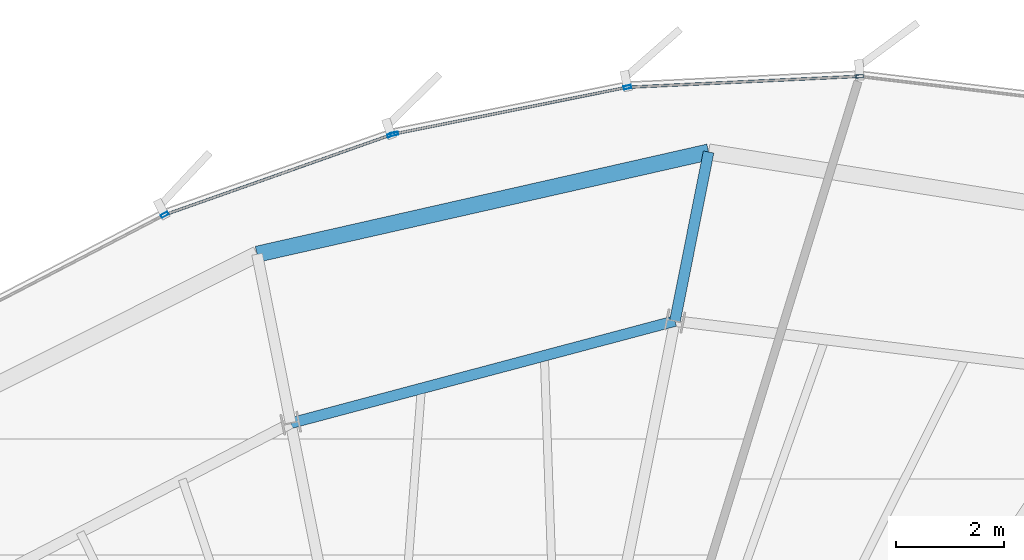
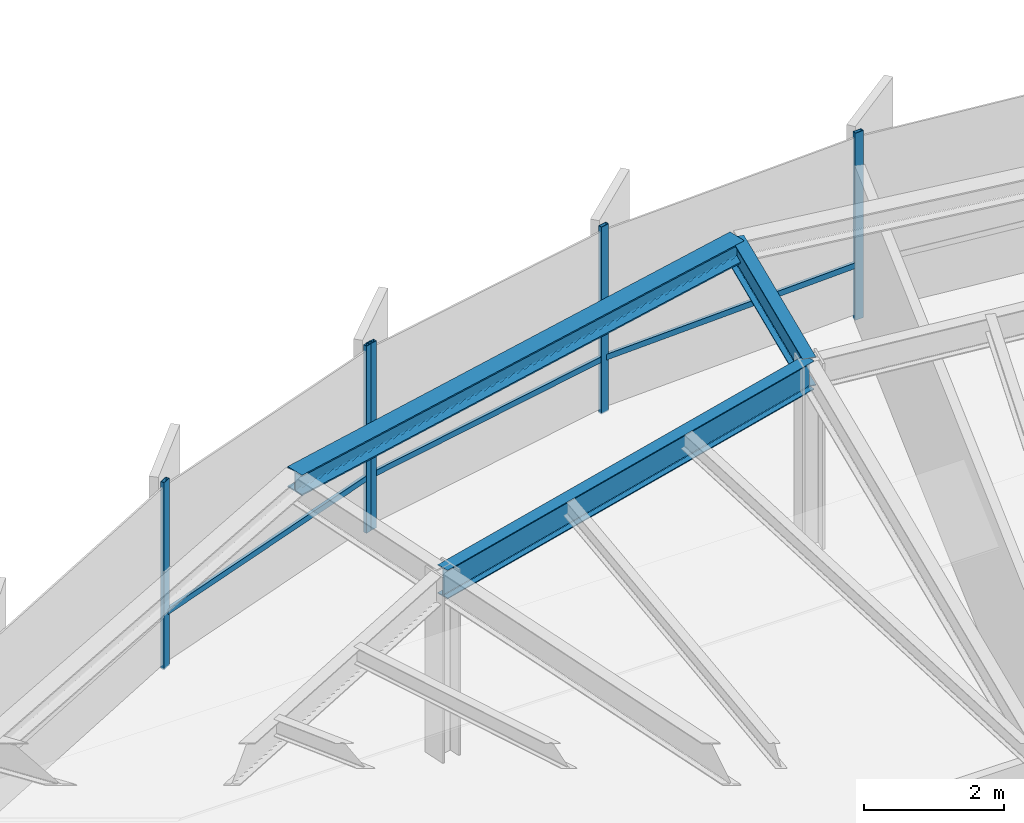
# One storey, part 23 of 35: 8 members, 3 beams, 2 elements without a shape of their own.
"""IFC4 building model written with IfcOpenShell, lengths in metres."""

from ifc_helpers import new_model, si_unit, direction, frame, origin, origin_2d, place, context, subcontext, project, spatial, hollow_rectangle, i_section, extrude, source, transform, mapped, material, layer, layer_set, material_profile, profile_set, type_object, element, aggregate, save


model = new_model("IFC4")

# Units and contexts
model_context = context("Model", 3, precision=1e-05, world=origin(), true_north=direction((0.0, 1.0)))
body_context = subcontext(model_context, "Body", "Model", "MODEL_VIEW")
ifc_project = project(units=[si_unit("LENGTHUNIT", "METRE"), si_unit("AREAUNIT", "SQUARE_METRE"), si_unit("VOLUMEUNIT", "CUBIC_METRE"), si_unit("PLANEANGLEUNIT", "RADIAN"), si_unit("MASSUNIT", "GRAM", prefix="KILO"), si_unit("THERMODYNAMICTEMPERATUREUNIT", "KELVIN")], contexts=[model_context])

# Site, building, storey
site_placement = place(None, origin())
site = spatial("IfcSite", under=ifc_project, at=site_placement, CompositionType="ELEMENT")
building_placement = place(site_placement, origin())
building = spatial("IfcBuilding", under=site, at=building_placement, Name="Kethvar Cultural Tower", CompositionType="ELEMENT")
storey_placement = place(building_placement, frame((0.0, 0.0, 193.89990234375)))
storey = spatial("IfcBuildingStorey", under=building, at=storey_placement, Name="L50", CompositionType="ELEMENT", Elevation=193.89990234375)

# Beams
ifc_material_1 = material(Name="Steel S355J2", Category="steel")
ifc_material_profile_1 = material_profile(ifc_material_1, i_section(OverallWidth=0.199951171875, OverallDepth=0.5, WebThickness=0.01025390625, FlangeThickness=0.01611328125, FilletRadius=0.02099609375, at=origin_2d()), Name="Steel S355J2 — IPE500")
ifc_profile_set_1 = profile_set([ifc_material_profile_1], Name="Steel S355J2 — IPE500")
beam_type_1 = type_object("IfcBeamType", Name="BM-IPE500", PredefinedType="BEAM", material=ifc_profile_set_1)
shared_shape_1 = source(origin(), body_context, "Body", "SweptSolid", [
    extrude(i_section(OverallWidth=0.199951171875, OverallDepth=0.5, WebThickness=0.01025390625, FlangeThickness=0.01611328125, FilletRadius=0.02099609375, at=origin_2d()), origin(), (0.0, 0.0, 1.0), 3.199951171875),
])
beam_1_placement = place(storey_placement, frame((50.556884765625, 46.6875, 3.008056640625), z_axis=(0.195088965533, 0.980785550224, 0.0), x_axis=(-0.980785550224, 0.195088965533, 0.0)))
element("IfcBeam", 1, at=beam_1_placement, inside=storey, type_object=beam_type_1, Name="L50 Perimeter Cantilever Beam RC-04", PredefinedType="BEAM", context=body_context, shape_type="MappedRepresentation", body=[
    mapped(shared_shape_1, transform((0.0, 0.0, 0.0), scale=1.0)),
])
shared_shape_2 = source(origin(), body_context, "Body", "SweptSolid", [
    extrude(i_section(OverallWidth=0.199951171875, OverallDepth=0.5, WebThickness=0.01025390625, FlangeThickness=0.01611328125, FilletRadius=0.02099609375, at=origin_2d()), origin(), (0.0, 0.0, 1.0), 7.38427734375),
])
beam_2_placement = place(storey_placement, frame((50.556884765625, 46.6875, 3.008056640625), z_axis=(-0.966396628298, -0.257055552002, 0.0), x_axis=(0.257055552002, -0.966396628298, 0.0)))
element("IfcBeam", 2, at=beam_2_placement, inside=storey, type_object=beam_type_1, Name="L50 Column Ring Tie Beam CR-04", PredefinedType="BEAM", context=body_context, shape_type="MappedRepresentation", body=[
    mapped(shared_shape_2, transform((0.0, 0.0, 0.0), scale=1.0)),
])
ifc_material_profile_2 = material_profile(ifc_material_1, i_section(OverallWidth=0.300048828125, OverallDepth=0.360107421875, WebThickness=0.012451171875, FlangeThickness=0.0224609375, FilletRadius=0.027099609375, at=origin_2d()), Name="Steel S355J2 — HEB360")
ifc_profile_set_2 = profile_set([ifc_material_profile_2], Name="Steel S355J2 — HEB360")
beam_type_2 = type_object("IfcBeamType", Name="BM-SP360", PredefinedType="SPANDREL", material=ifc_profile_set_2)
shared_shape_3 = source(origin(), body_context, "Body", "SweptSolid", [
    extrude(i_section(OverallWidth=0.300048828125, OverallDepth=0.360107421875, WebThickness=0.012451171875, FlangeThickness=0.0224609375, FilletRadius=0.027099609375, at=origin_2d()), origin(), (0.0, 0.0, 1.0), 8.596923828125),
])
beam_3_placement = place(storey_placement, frame((51.18115234375, 49.825927734375, 3.078125), z_axis=(-0.975319414912, -0.2207986388, 0.0), x_axis=(0.2207986388, -0.975319414912, 0.0)))
element("IfcBeam", 3, at=beam_3_placement, inside=storey, type_object=beam_type_2, Name="L50 Perimeter Spandrel Beam SP-04", PredefinedType="SPANDREL", context=body_context, shape_type="MappedRepresentation", body=[
    mapped(shared_shape_3, transform((0.0, 0.0, 0.0), scale=1.0)),
])

# Curtain wall, members
ifc_material_2 = material(Name="Aluminium 6063-T6", Category="aluminium")
ifc_layer = layer(ifc_material_2, 0.179931640625, Name="Aluminium 6063-T6", Category="aluminium")
ifc_layer_set = layer_set([ifc_layer], Name="Aluminium 6063-T6 (180 mm)")
curtain_wall_type = type_object("IfcCurtainWallType", Name="CW-SYS-04-Z34", PredefinedType="NOTDEFINED", material=ifc_layer_set)
curtain_wall_1_placement = place(storey_placement, origin())
curtain_wall_1 = element("IfcCurtainWall", 4, at=curtain_wall_1_placement, inside=storey, type_object=curtain_wall_type, Name="L50 Curtain Wall Run 01", PredefinedType="NOTDEFINED")
ifc_material_profile_3 = material_profile(ifc_material_2, hollow_rectangle(XDim=0.06005859375, YDim=0.139892578125, WallThickness=0.0048828125, at=origin_2d()), Name="Aluminium 6063-T6 — RHS140x60x5")
ifc_profile_set_3 = profile_set([ifc_material_profile_3], Name="Aluminium 6063-T6 — RHS140x60x5")
member_type_1 = type_object("IfcMemberType", Name="CW-SYS-04-Z34-MUL", PredefinedType="MULLION", material=ifc_profile_set_3)
shared_shape_4 = source(origin(), body_context, "Body", "SweptSolid", [
    extrude(hollow_rectangle(XDim=0.06005859375, YDim=0.139892578125, WallThickness=0.0048828125, at=origin_2d()), origin(), (0.0, 0.0, 1.0), 3.260009765625),
])
member_1_placement = place(storey_placement, frame((53.985107421875, 51.23095703125, 0.0), z_axis=(0.0, 0.0, 1.0), x_axis=(0.047158752397, -0.998887407105, 0.0)))
member_1 = element("IfcMember", 5, at=member_1_placement, type_object=member_type_1, Name="CW-L50-R01 Mullion 5", PredefinedType="MULLION", context=body_context, shape_type="MappedRepresentation", body=[
    mapped(shared_shape_4, transform((0.0, 0.0, 0.0), scale=1.0)),
])
member_2_placement = place(storey_placement, frame((49.674560546875, 51.02880859375, 0.0), z_axis=(0.0, 0.0, 1.0), x_axis=(0.196391112869, -0.980525640045, 0.0)))
member_2 = element("IfcMember", 6, at=member_2_placement, type_object=member_type_1, Name="CW-L50-R01 Mullion 6", PredefinedType="MULLION", context=body_context, shape_type="MappedRepresentation", body=[
    mapped(shared_shape_4, transform((0.0, 0.0, 0.0), scale=1.0)),
])
member_3_placement = place(storey_placement, frame((45.34619140625, 50.161865234375, 0.0), z_axis=(0.0, 0.0, 1.0), x_axis=(0.196391112869, -0.980525640045, 0.0)))
member_3 = element("IfcMember", 7, at=member_3_placement, type_object=member_type_1, Name="CW-L50-R01 Mullion 7", PredefinedType="MULLION", context=body_context, shape_type="MappedRepresentation", body=[
    mapped(shared_shape_4, transform((0.0, 0.0, 0.0), scale=1.0)),
])

curtain_wall_2_placement = place(storey_placement, origin())
curtain_wall_2 = element("IfcCurtainWall", 8, at=curtain_wall_2_placement, inside=storey, type_object=curtain_wall_type, Name="L50 Curtain Wall Run 02", PredefinedType="NOTDEFINED")
member_4_placement = place(storey_placement, frame((45.2861328125, 50.145263671875, 0.0), z_axis=(0.0, 0.0, 1.0), x_axis=(0.333247425772, -0.942839410089, 0.0)))
member_4 = element("IfcMember", 9, at=member_4_placement, type_object=member_type_1, Name="CW-L50-R02 Mullion 1", PredefinedType="MULLION", context=body_context, shape_type="MappedRepresentation", body=[
    mapped(shared_shape_4, transform((0.0, 0.0, 0.0), scale=1.0)),
])
member_5_placement = place(storey_placement, frame((41.079833984375, 48.65966796875, 0.0), z_axis=(0.0, 0.0, 1.0), x_axis=(0.461036326558, -0.887381262814, 0.0)))
member_5 = element("IfcMember", 10, at=member_5_placement, type_object=member_type_1, Name="CW-L50-R02 Mullion 2", PredefinedType="MULLION", context=body_context, shape_type="MappedRepresentation", body=[
    mapped(shared_shape_4, transform((0.0, 0.0, 0.0), scale=1.0)),
])

# Member
ifc_material_profile_4 = material_profile(ifc_material_2, hollow_rectangle(XDim=0.050048828125, YDim=0.10009765625, WallThickness=0.00390625, at=origin_2d()), Name="Aluminium 6063-T6 — RHS100x50x4")
ifc_profile_set_4 = profile_set([ifc_material_profile_4], Name="Aluminium 6063-T6 — RHS100x50x4")
member_type_2 = type_object("IfcMemberType", Name="CW-SYS-04-Z34-TRN", PredefinedType="USERDEFINED", material=ifc_profile_set_4)
shared_shape_5 = source(origin(), body_context, "Body", "SweptSolid", [
    extrude(hollow_rectangle(XDim=0.050048828125, YDim=0.10009765625, WallThickness=0.00390625, at=origin_2d()), origin(), (0.0, 0.0, 1.0), 4.2451171875),
])
member_6_placement = place(storey_placement, frame((53.94189453125, 51.22900390625, 0.9501953125), z_axis=(-0.998887441539, -0.047158023033, 0.0), x_axis=(0.047158023033, -0.998887441539, 0.0)))
member_6 = element("IfcMember", 11, at=member_6_placement, type_object=member_type_2, Name="CW-L50-R01 Transom 5", ObjectType="TRANSOM", PredefinedType="USERDEFINED", context=body_context, shape_type="MappedRepresentation", body=[
    mapped(shared_shape_5, transform((0.0, 0.0, 0.0), scale=1.0)),
])

shared_shape_6 = source(origin(), body_context, "Body", "SweptSolid", [
    extrude(hollow_rectangle(XDim=0.050048828125, YDim=0.10009765625, WallThickness=0.00390625, at=origin_2d()), origin(), (0.0, 0.0, 1.0), 4.36669921875),
])
member_7_placement = place(storey_placement, frame((49.632080078125, 51.020263671875, 0.9501953125), z_axis=(-0.980522573936, -0.196406420472, 0.0), x_axis=(0.196406420472, -0.980522573936, 0.0)))
member_7 = element("IfcMember", 12, at=member_7_placement, type_object=member_type_2, Name="CW-L50-R01 Transom 6", ObjectType="TRANSOM", PredefinedType="USERDEFINED", context=body_context, shape_type="MappedRepresentation", body=[
    mapped(shared_shape_6, transform((0.0, 0.0, 0.0), scale=1.0)),
])

aggregate(curtain_wall_1, [member_1, member_2, member_3, member_6, member_7])

shared_shape_7 = source(origin(), body_context, "Body", "SweptSolid", [
    extrude(hollow_rectangle(XDim=0.050048828125, YDim=0.10009765625, WallThickness=0.00390625, at=origin_2d()), origin(), (0.0, 0.0, 1.0), 4.428955078125),
])
member_8_placement = place(storey_placement, frame((45.2822265625, 50.143798828125, 0.9501953125), z_axis=(-0.942846753036, -0.333226650029, 0.0), x_axis=(0.333226650029, -0.942846753036, 0.0)))
member_8 = element("IfcMember", 13, at=member_8_placement, type_object=member_type_2, Name="CW-L50-R02 Transom 1", ObjectType="TRANSOM", PredefinedType="USERDEFINED", context=body_context, shape_type="MappedRepresentation", body=[
    mapped(shared_shape_7, transform((0.0, 0.0, 0.0), scale=1.0)),
])

aggregate(curtain_wall_2, [member_4, member_5, member_8])

save(model, "model.ifc")
